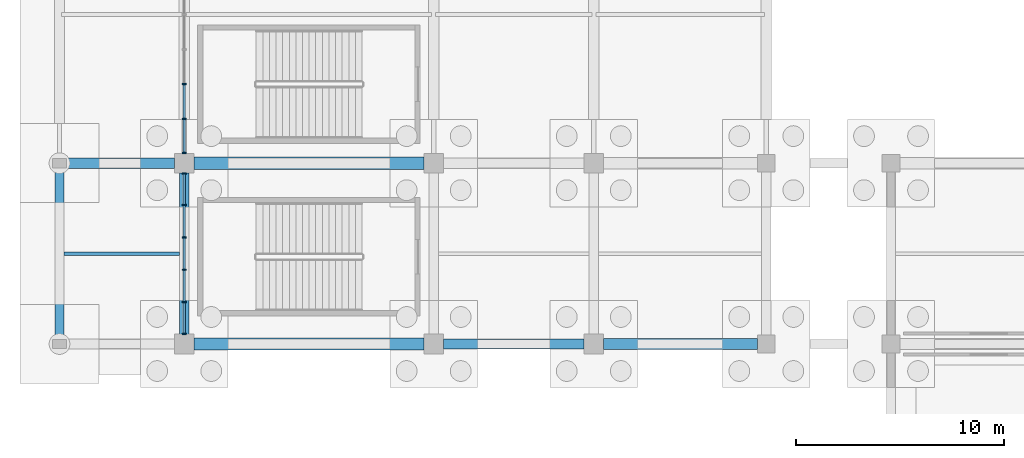
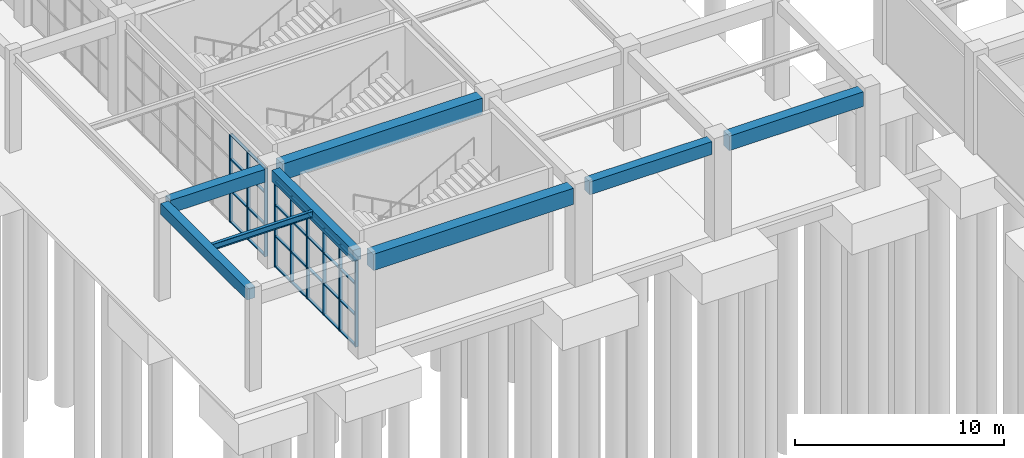
# One storey, part 21 of 121: 37 members, 8 beams, 2 elements without a shape of their own.
"""IFC4 building model written with IfcOpenShell, lengths in metres."""

from ifc_helpers import new_model, si_unit, direction, frame, origin, origin_2d, place, context, subcontext, project, spatial, rectangle, i_section, extrude, material, material_profile, profile_set, type_object, element, aggregate, save


model = new_model("IFC4")

# Units and contexts
model_context = context("Model", 3, precision=1e-05, world=origin(), true_north=direction((0.0, 1.0)))
body_context = subcontext(model_context, "Body", "Model", "MODEL_VIEW")
ifc_project = project(units=[si_unit("LENGTHUNIT", "METRE"), si_unit("AREAUNIT", "SQUARE_METRE"), si_unit("VOLUMEUNIT", "CUBIC_METRE"), si_unit("PLANEANGLEUNIT", "RADIAN"), si_unit("MASSUNIT", "GRAM", prefix="KILO")], contexts=[model_context])

# Site, building, storey
site_placement = place(None, origin())
site = spatial("IfcSite", under=ifc_project, at=site_placement, CompositionType="ELEMENT")
building_placement = place(site_placement, origin())
building = spatial("IfcBuilding", under=site, at=building_placement, Name="Cuetzalor Civic Arena", CompositionType="ELEMENT")
storey_placement = place(building_placement, origin())
storey = spatial("IfcBuildingStorey", under=building, at=storey_placement, Name="L00", CompositionType="ELEMENT", Elevation=0.0)

# Beams
ifc_material_1 = material(Name="Concrete C40/50", Category="concrete")
ifc_material_profile_1 = material_profile(ifc_material_1, rectangle(XDim=0.5, YDim=0.75, at=origin_2d()), Name="RC 500x750")
ifc_profile_set_1 = profile_set([ifc_material_profile_1], Name="Concrete C40/50")
beam_type_1 = type_object("IfcBeamType", Name="ConcreteFrameBeam_500x750", PredefinedType="BEAM", material=ifc_profile_set_1)
beam_1_placement = place(storey_placement, frame((-63.534912109375, -57.0, 5.324951171875), z_axis=(1.0, 0.0, 0.0), x_axis=(0.0, 1.0, 0.0)))
element("IfcBeam", 1, at=beam_1_placement, inside=storey, type_object=beam_type_1, Name="Frame Girder V4W-L00-X0059", PredefinedType="BEAM", context=body_context, shape_type="SweptSolid", body=[
    extrude(rectangle(XDim=0.5, YDim=0.75, at=origin_2d()), origin(), (0.0, 0.0, 1.0), 6.77001953125),
])
beam_2_placement = place(storey_placement, frame((-81.68505859375, -48.300048828125, 5.324951171875), z_axis=(1.0, 0.0, 0.0), x_axis=(0.0, 1.0, 0.0)))
element("IfcBeam", 2, at=beam_2_placement, inside=storey, type_object=beam_type_1, Name="Frame Girder V4W-L00-X0061", PredefinedType="BEAM", context=body_context, shape_type="SweptSolid", body=[
    extrude(rectangle(XDim=0.5, YDim=0.75, at=origin_2d()), origin(), (0.0, 0.0, 1.0), 5.219970703125),
])
ifc_material_2 = material(Name="Concrete C40/50", Category="concrete")
ifc_material_profile_2 = material_profile(ifc_material_2, rectangle(XDim=0.550048828125, YDim=0.85009765625, at=origin_2d()), Name="RC 550x850")
ifc_profile_set_2 = profile_set([ifc_material_profile_2], Name="Concrete C40/50")
beam_type_2 = type_object("IfcBeamType", Name="ConcreteFrameBeam_550x850", PredefinedType="BEAM", material=ifc_profile_set_2)
beam_3_placement = place(storey_placement, frame((-55.8349609375, -57.0, 5.27490234375), z_axis=(1.0, 0.0, 0.0), x_axis=(0.0, 1.0, 0.0)))
element("IfcBeam", 3, at=beam_3_placement, inside=storey, type_object=beam_type_2, Name="Frame Girder V4W-L00-X0060", PredefinedType="BEAM", context=body_context, shape_type="SweptSolid", body=[
    extrude(rectangle(XDim=0.550048828125, YDim=0.85009765625, at=origin_2d()), origin(), (0.0, 0.0, 1.0), 7.419921875),
])
ifc_material_3 = material(Name="Concrete C40/50", Category="concrete")
ifc_material_profile_3 = material_profile(ifc_material_3, rectangle(XDim=0.60009765625, YDim=0.949951171875, at=origin_2d()), Name="RC 600x950")
ifc_profile_set_3 = profile_set([ifc_material_profile_3], Name="Concrete C40/50")
beam_type_3 = type_object("IfcBeamType", Name="ConcreteFrameBeam_600x950", PredefinedType="BEAM", material=ifc_profile_set_3)
for number, where, z_axis, x_axis, name in (
    (4, (-75.534912109375, -57.0, 5.22509765625), (1.0, 0.0, 0.0), (0.0, 1.0, 0.0), "Frame Girder V4W-L00-X0058"),
    (5, (-75.534912109375, -48.300048828125, 5.22509765625), (1.0, 0.0, 0.0), (0.0, 1.0, 0.0), "Frame Girder V4W-L00-X0062"),
):
    element("IfcBeam", number, at=place(storey_placement, frame(where, z_axis=z_axis, x_axis=x_axis)), inside=storey, type_object=beam_type_3, Name=name, PredefinedType="BEAM", context=body_context, shape_type="SweptSolid", body=[
        extrude(rectangle(XDim=0.60009765625, YDim=0.949951171875, at=origin_2d()), origin(), (0.0, 0.0, 1.0), 11.06982421875),
    ])
ifc_material_4 = material(Name="Concrete C40/50", Category="concrete")
ifc_material_profile_4 = material_profile(ifc_material_4, rectangle(XDim=0.449951171875, YDim=0.64990234375, at=origin_2d()), Name="RC 450x650")
ifc_profile_set_4 = profile_set([ifc_material_profile_4], Name="Concrete C40/50")
beam_type_4 = type_object("IfcBeamType", Name="ConcreteTieBeam_450x650", PredefinedType="BEAM", material=ifc_profile_set_4)
beam_4_placement = place(storey_placement, frame((-82.0, -56.784912109375, 5.375), z_axis=(0.0, 1.0, 0.0), x_axis=(-1.0, 0.0, 0.0)))
element("IfcBeam", 6, at=beam_4_placement, inside=storey, type_object=beam_type_4, Name="Frame Girder V4W-L00-Y0093", PredefinedType="BEAM", context=body_context, shape_type="SweptSolid", body=[
    extrude(rectangle(XDim=0.449951171875, YDim=0.64990234375, at=origin_2d()), origin(), (0.0, 0.0, 1.0), 8.27001953125),
])
beam_5_placement = place(storey_placement, frame((-76.0, -56.534912109375, 5.375), z_axis=(0.0, 1.0, 0.0), x_axis=(-1.0, 0.0, 0.0)))
element("IfcBeam", 7, at=beam_5_placement, inside=storey, type_object=beam_type_4, Name="Frame Girder V4W-L00-Y0103", PredefinedType="BEAM", context=body_context, shape_type="SweptSolid", body=[
    extrude(rectangle(XDim=0.449951171875, YDim=0.64990234375, at=origin_2d()), origin(), (0.0, 0.0, 1.0), 7.77001953125),
])

# Curtain wall, members
ifc_material_5 = material(Name="Anodised dark bronze aluminium and low-E solar glass", Category="aluminium")
curtain_wall_type_1 = type_object("IfcCurtainWallType", Name="UnitisedCW_7800x5050", PredefinedType="USERDEFINED", material=ifc_material_5)
curtain_wall_1_placement = place(storey_placement, origin())
curtain_wall_1 = element("IfcCurtainWall", 8, at=curtain_wall_1_placement, inside=storey, type_object=curtain_wall_type_1, Name="V4W Colonnade Curtain Wall L00-103", ObjectType="UNITISED CURTAIN WALL", PredefinedType="USERDEFINED")
ifc_material_6 = material(Name="Anodised dark bronze aluminium", Category="aluminium")
ifc_material_profile_5 = material_profile(ifc_material_6, rectangle(XDim=0.070068359375, YDim=0.179931640625, at=origin_2d()), Name="ALU MULLION 70x180")
ifc_profile_set_5 = profile_set([ifc_material_profile_5], Name="Anodised dark bronze aluminium")
member_type_1 = type_object("IfcMemberType", Name="CurtainWallMullion_65x180", PredefinedType="MULLION", material=ifc_profile_set_5)
member_1_placement = place(storey_placement, frame((-76.0, -56.508056640625, 0.0), z_axis=(0.0, 0.0, 1.0), x_axis=(0.0, 1.0, 0.0)))
member_1 = element("IfcMember", 9, at=member_1_placement, type_object=member_type_1, Name="CW-31 mullion 1", PredefinedType="MULLION", context=body_context, shape_type="SweptSolid", body=[
    extrude(rectangle(XDim=0.070068359375, YDim=0.179931640625, at=origin_2d()), origin(), (0.0, 0.0, 1.0), 5.0400390625),
])
member_2_placement = place(storey_placement, frame((-76.0, -54.98583984375, 0.0), z_axis=(0.0, 0.0, 1.0), x_axis=(0.0, 1.0, 0.0)))
member_2 = element("IfcMember", 10, at=member_2_placement, type_object=member_type_1, Name="CW-31 mullion 2", PredefinedType="MULLION", context=body_context, shape_type="SweptSolid", body=[
    extrude(rectangle(XDim=0.070068359375, YDim=0.179931640625, at=origin_2d()), origin(), (0.0, 0.0, 1.0), 5.0400390625),
])
member_3_placement = place(storey_placement, frame((-76.0, -53.4287109375, 0.0), z_axis=(0.0, 0.0, 1.0), x_axis=(0.0, 1.0, 0.0)))
member_3 = element("IfcMember", 11, at=member_3_placement, type_object=member_type_1, Name="CW-31 mullion 3", PredefinedType="MULLION", context=body_context, shape_type="SweptSolid", body=[
    extrude(rectangle(XDim=0.070068359375, YDim=0.179931640625, at=origin_2d()), origin(), (0.0, 0.0, 1.0), 5.0400390625),
])
member_4_placement = place(storey_placement, frame((-76.0, -51.871337890625, 0.0), z_axis=(0.0, 0.0, 1.0), x_axis=(0.0, 1.0, 0.0)))
member_4 = element("IfcMember", 12, at=member_4_placement, type_object=member_type_1, Name="CW-31 mullion 4", PredefinedType="MULLION", context=body_context, shape_type="SweptSolid", body=[
    extrude(rectangle(XDim=0.070068359375, YDim=0.179931640625, at=origin_2d()), origin(), (0.0, 0.0, 1.0), 5.0400390625),
])
member_5_placement = place(storey_placement, frame((-76.0, -50.314208984375, 0.0), z_axis=(0.0, 0.0, 1.0), x_axis=(0.0, 1.0, 0.0)))
member_5 = element("IfcMember", 13, at=member_5_placement, type_object=member_type_1, Name="CW-31 mullion 5", PredefinedType="MULLION", context=body_context, shape_type="SweptSolid", body=[
    extrude(rectangle(XDim=0.070068359375, YDim=0.179931640625, at=origin_2d()), origin(), (0.0, 0.0, 1.0), 5.0400390625),
])
member_6_placement = place(storey_placement, frame((-76.0, -48.7919921875, 0.0), z_axis=(0.0, 0.0, 1.0), x_axis=(0.0, 1.0, 0.0)))
member_6 = element("IfcMember", 14, at=member_6_placement, type_object=member_type_1, Name="CW-31 mullion 6", PredefinedType="MULLION", context=body_context, shape_type="SweptSolid", body=[
    extrude(rectangle(XDim=0.070068359375, YDim=0.179931640625, at=origin_2d()), origin(), (0.0, 0.0, 1.0), 5.0400390625),
])

ifc_material_7 = material(Name="Anodised dark bronze aluminium and low-E solar glass", Category="aluminium")
curtain_wall_type_2 = type_object("IfcCurtainWallType", Name="UnitisedCW_13400x5150", PredefinedType="USERDEFINED", material=ifc_material_7)
curtain_wall_2_placement = place(storey_placement, origin())
curtain_wall_2 = element("IfcCurtainWall", 15, at=curtain_wall_2_placement, inside=storey, type_object=curtain_wall_type_2, Name="V4W Colonnade Curtain Wall L00-104", ObjectType="UNITISED CURTAIN WALL", PredefinedType="USERDEFINED")
member_7_placement = place(storey_placement, frame((-76.0, -47.80810546875, 0.0), z_axis=(0.0, 0.0, 1.0), x_axis=(0.0, 1.0, 0.0)))
member_7 = element("IfcMember", 16, at=member_7_placement, type_object=member_type_1, Name="CW-32 mullion 1", PredefinedType="MULLION", context=body_context, shape_type="SweptSolid", body=[
    extrude(rectangle(XDim=0.070068359375, YDim=0.179931640625, at=origin_2d()), origin(), (0.0, 0.0, 1.0), 5.156982421875),
])
member_8_placement = place(storey_placement, frame((-76.0, -46.169677734375, 0.0), z_axis=(0.0, 0.0, 1.0), x_axis=(0.0, 1.0, 0.0)))
member_8 = element("IfcMember", 17, at=member_8_placement, type_object=member_type_1, Name="CW-32 mullion 2", PredefinedType="MULLION", context=body_context, shape_type="SweptSolid", body=[
    extrude(rectangle(XDim=0.070068359375, YDim=0.179931640625, at=origin_2d()), origin(), (0.0, 0.0, 1.0), 5.156982421875),
])
member_9_placement = place(storey_placement, frame((-76.0, -44.49658203125, 0.0), z_axis=(0.0, 0.0, 1.0), x_axis=(0.0, 1.0, 0.0)))
member_9 = element("IfcMember", 18, at=member_9_placement, type_object=member_type_1, Name="CW-32 mullion 3", PredefinedType="MULLION", context=body_context, shape_type="SweptSolid", body=[
    extrude(rectangle(XDim=0.070068359375, YDim=0.179931640625, at=origin_2d()), origin(), (0.0, 0.0, 1.0), 5.156982421875),
])

# Member
ifc_material_8 = material(Name="Anodised dark bronze aluminium", Category="aluminium")
ifc_material_profile_6 = material_profile(ifc_material_8, rectangle(XDim=0.139892578125, YDim=0.070068359375, at=origin_2d()), Name="ALU TRANSOM 70x140")
ifc_profile_set_6 = profile_set([ifc_material_profile_6], Name="Anodised dark bronze aluminium")
member_type_2 = type_object("IfcMemberType", Name="CurtainWallTransom_65x140", PredefinedType="USERDEFINED", material=ifc_profile_set_6)
member_10_placement = place(storey_placement, frame((-76.0, -56.472900390625, 0.034912109375), z_axis=(0.0, 1.0, 0.0), x_axis=(-1.0, 0.0, 0.0)))
member_10 = element("IfcMember", 19, at=member_10_placement, type_object=member_type_2, Name="CW-31 transom 1.1", ObjectType="TRANSOM", PredefinedType="USERDEFINED", context=body_context, shape_type="SweptSolid", body=[
    extrude(rectangle(XDim=0.139892578125, YDim=0.070068359375, at=origin_2d()), origin(), (0.0, 0.0, 1.0), 1.4521484375),
])

member_11_placement = place(storey_placement, frame((-76.0, -56.472900390625, 1.81396484375), z_axis=(0.0, 1.0, 0.0), x_axis=(-1.0, 0.0, 0.0)))
member_11 = element("IfcMember", 20, at=member_11_placement, type_object=member_type_2, Name="CW-31 transom 1.2", ObjectType="TRANSOM", PredefinedType="USERDEFINED", context=body_context, shape_type="SweptSolid", body=[
    extrude(rectangle(XDim=0.139892578125, YDim=0.070068359375, at=origin_2d()), origin(), (0.0, 0.0, 1.0), 1.4521484375),
])

member_12_placement = place(storey_placement, frame((-76.0, -56.472900390625, 3.62890625), z_axis=(0.0, 1.0, 0.0), x_axis=(-1.0, 0.0, 0.0)))
member_12 = element("IfcMember", 21, at=member_12_placement, type_object=member_type_2, Name="CW-31 transom 1.3", ObjectType="TRANSOM", PredefinedType="USERDEFINED", context=body_context, shape_type="SweptSolid", body=[
    extrude(rectangle(XDim=0.139892578125, YDim=0.070068359375, at=origin_2d()), origin(), (0.0, 0.0, 1.0), 1.4521484375),
])

member_13_placement = place(storey_placement, frame((-76.0, -56.472900390625, 5.0048828125), z_axis=(0.0, 1.0, 0.0), x_axis=(-1.0, 0.0, 0.0)))
member_13 = element("IfcMember", 22, at=member_13_placement, type_object=member_type_2, Name="CW-31 transom 1.4", ObjectType="TRANSOM", PredefinedType="USERDEFINED", context=body_context, shape_type="SweptSolid", body=[
    extrude(rectangle(XDim=0.139892578125, YDim=0.070068359375, at=origin_2d()), origin(), (0.0, 0.0, 1.0), 1.4521484375),
])

member_14_placement = place(storey_placement, frame((-76.0, -54.95068359375, 0.034912109375), z_axis=(0.0, 1.0, 0.0), x_axis=(-1.0, 0.0, 0.0)))
member_14 = element("IfcMember", 23, at=member_14_placement, type_object=member_type_2, Name="CW-31 transom 2.1", ObjectType="TRANSOM", PredefinedType="USERDEFINED", context=body_context, shape_type="SweptSolid", body=[
    extrude(rectangle(XDim=0.139892578125, YDim=0.070068359375, at=origin_2d()), origin(), (0.0, 0.0, 1.0), 1.487060546875),
])

member_15_placement = place(storey_placement, frame((-76.0, -54.95068359375, 1.81396484375), z_axis=(0.0, 1.0, 0.0), x_axis=(-1.0, 0.0, 0.0)))
member_15 = element("IfcMember", 24, at=member_15_placement, type_object=member_type_2, Name="CW-31 transom 2.2", ObjectType="TRANSOM", PredefinedType="USERDEFINED", context=body_context, shape_type="SweptSolid", body=[
    extrude(rectangle(XDim=0.139892578125, YDim=0.070068359375, at=origin_2d()), origin(), (0.0, 0.0, 1.0), 1.487060546875),
])

member_16_placement = place(storey_placement, frame((-76.0, -54.95068359375, 3.62890625), z_axis=(0.0, 1.0, 0.0), x_axis=(-1.0, 0.0, 0.0)))
member_16 = element("IfcMember", 25, at=member_16_placement, type_object=member_type_2, Name="CW-31 transom 2.3", ObjectType="TRANSOM", PredefinedType="USERDEFINED", context=body_context, shape_type="SweptSolid", body=[
    extrude(rectangle(XDim=0.139892578125, YDim=0.070068359375, at=origin_2d()), origin(), (0.0, 0.0, 1.0), 1.487060546875),
])

member_17_placement = place(storey_placement, frame((-76.0, -54.95068359375, 5.0048828125), z_axis=(0.0, 1.0, 0.0), x_axis=(-1.0, 0.0, 0.0)))
member_17 = element("IfcMember", 26, at=member_17_placement, type_object=member_type_2, Name="CW-31 transom 2.4", ObjectType="TRANSOM", PredefinedType="USERDEFINED", context=body_context, shape_type="SweptSolid", body=[
    extrude(rectangle(XDim=0.139892578125, YDim=0.070068359375, at=origin_2d()), origin(), (0.0, 0.0, 1.0), 1.487060546875),
])

member_18_placement = place(storey_placement, frame((-76.0, -53.3935546875, 0.034912109375), z_axis=(0.0, 1.0, 0.0), x_axis=(-1.0, 0.0, 0.0)))
member_18 = element("IfcMember", 27, at=member_18_placement, type_object=member_type_2, Name="CW-31 transom 3.1", ObjectType="TRANSOM", PredefinedType="USERDEFINED", context=body_context, shape_type="SweptSolid", body=[
    extrude(rectangle(XDim=0.139892578125, YDim=0.070068359375, at=origin_2d()), origin(), (0.0, 0.0, 1.0), 1.487060546875),
])

member_19_placement = place(storey_placement, frame((-76.0, -53.3935546875, 1.81396484375), z_axis=(0.0, 1.0, 0.0), x_axis=(-1.0, 0.0, 0.0)))
member_19 = element("IfcMember", 28, at=member_19_placement, type_object=member_type_2, Name="CW-31 transom 3.2", ObjectType="TRANSOM", PredefinedType="USERDEFINED", context=body_context, shape_type="SweptSolid", body=[
    extrude(rectangle(XDim=0.139892578125, YDim=0.070068359375, at=origin_2d()), origin(), (0.0, 0.0, 1.0), 1.487060546875),
])

member_20_placement = place(storey_placement, frame((-76.0, -53.3935546875, 3.62890625), z_axis=(0.0, 1.0, 0.0), x_axis=(-1.0, 0.0, 0.0)))
member_20 = element("IfcMember", 29, at=member_20_placement, type_object=member_type_2, Name="CW-31 transom 3.3", ObjectType="TRANSOM", PredefinedType="USERDEFINED", context=body_context, shape_type="SweptSolid", body=[
    extrude(rectangle(XDim=0.139892578125, YDim=0.070068359375, at=origin_2d()), origin(), (0.0, 0.0, 1.0), 1.487060546875),
])

member_21_placement = place(storey_placement, frame((-76.0, -53.3935546875, 5.0048828125), z_axis=(0.0, 1.0, 0.0), x_axis=(-1.0, 0.0, 0.0)))
member_21 = element("IfcMember", 30, at=member_21_placement, type_object=member_type_2, Name="CW-31 transom 3.4", ObjectType="TRANSOM", PredefinedType="USERDEFINED", context=body_context, shape_type="SweptSolid", body=[
    extrude(rectangle(XDim=0.139892578125, YDim=0.070068359375, at=origin_2d()), origin(), (0.0, 0.0, 1.0), 1.487060546875),
])

member_22_placement = place(storey_placement, frame((-76.0, -51.83642578125, 0.034912109375), z_axis=(0.0, 1.0, 0.0), x_axis=(-1.0, 0.0, 0.0)))
member_22 = element("IfcMember", 31, at=member_22_placement, type_object=member_type_2, Name="CW-31 transom 4.1", ObjectType="TRANSOM", PredefinedType="USERDEFINED", context=body_context, shape_type="SweptSolid", body=[
    extrude(rectangle(XDim=0.139892578125, YDim=0.070068359375, at=origin_2d()), origin(), (0.0, 0.0, 1.0), 1.4873046875),
])

member_23_placement = place(storey_placement, frame((-76.0, -51.83642578125, 1.81396484375), z_axis=(0.0, 1.0, 0.0), x_axis=(-1.0, 0.0, 0.0)))
member_23 = element("IfcMember", 32, at=member_23_placement, type_object=member_type_2, Name="CW-31 transom 4.2", ObjectType="TRANSOM", PredefinedType="USERDEFINED", context=body_context, shape_type="SweptSolid", body=[
    extrude(rectangle(XDim=0.139892578125, YDim=0.070068359375, at=origin_2d()), origin(), (0.0, 0.0, 1.0), 1.4873046875),
])

member_24_placement = place(storey_placement, frame((-76.0, -51.83642578125, 3.62890625), z_axis=(0.0, 1.0, 0.0), x_axis=(-1.0, 0.0, 0.0)))
member_24 = element("IfcMember", 33, at=member_24_placement, type_object=member_type_2, Name="CW-31 transom 4.3", ObjectType="TRANSOM", PredefinedType="USERDEFINED", context=body_context, shape_type="SweptSolid", body=[
    extrude(rectangle(XDim=0.139892578125, YDim=0.070068359375, at=origin_2d()), origin(), (0.0, 0.0, 1.0), 1.4873046875),
])

member_25_placement = place(storey_placement, frame((-76.0, -51.83642578125, 5.0048828125), z_axis=(0.0, 1.0, 0.0), x_axis=(-1.0, 0.0, 0.0)))
member_25 = element("IfcMember", 34, at=member_25_placement, type_object=member_type_2, Name="CW-31 transom 4.4", ObjectType="TRANSOM", PredefinedType="USERDEFINED", context=body_context, shape_type="SweptSolid", body=[
    extrude(rectangle(XDim=0.139892578125, YDim=0.070068359375, at=origin_2d()), origin(), (0.0, 0.0, 1.0), 1.4873046875),
])

member_26_placement = place(storey_placement, frame((-76.0, -50.279296875, 0.034912109375), z_axis=(0.0, 1.0, 0.0), x_axis=(-1.0, 0.0, 0.0)))
member_26 = element("IfcMember", 35, at=member_26_placement, type_object=member_type_2, Name="CW-31 transom 5.1", ObjectType="TRANSOM", PredefinedType="USERDEFINED", context=body_context, shape_type="SweptSolid", body=[
    extrude(rectangle(XDim=0.139892578125, YDim=0.070068359375, at=origin_2d()), origin(), (0.0, 0.0, 1.0), 1.452392578125),
])

member_27_placement = place(storey_placement, frame((-76.0, -50.279296875, 1.81396484375), z_axis=(0.0, 1.0, 0.0), x_axis=(-1.0, 0.0, 0.0)))
member_27 = element("IfcMember", 36, at=member_27_placement, type_object=member_type_2, Name="CW-31 transom 5.2", ObjectType="TRANSOM", PredefinedType="USERDEFINED", context=body_context, shape_type="SweptSolid", body=[
    extrude(rectangle(XDim=0.139892578125, YDim=0.070068359375, at=origin_2d()), origin(), (0.0, 0.0, 1.0), 1.452392578125),
])

member_28_placement = place(storey_placement, frame((-76.0, -50.279296875, 3.62890625), z_axis=(0.0, 1.0, 0.0), x_axis=(-1.0, 0.0, 0.0)))
member_28 = element("IfcMember", 37, at=member_28_placement, type_object=member_type_2, Name="CW-31 transom 5.3", ObjectType="TRANSOM", PredefinedType="USERDEFINED", context=body_context, shape_type="SweptSolid", body=[
    extrude(rectangle(XDim=0.139892578125, YDim=0.070068359375, at=origin_2d()), origin(), (0.0, 0.0, 1.0), 1.452392578125),
])

member_29_placement = place(storey_placement, frame((-76.0, -50.279296875, 5.0048828125), z_axis=(0.0, 1.0, 0.0), x_axis=(-1.0, 0.0, 0.0)))
member_29 = element("IfcMember", 38, at=member_29_placement, type_object=member_type_2, Name="CW-31 transom 5.4", ObjectType="TRANSOM", PredefinedType="USERDEFINED", context=body_context, shape_type="SweptSolid", body=[
    extrude(rectangle(XDim=0.139892578125, YDim=0.070068359375, at=origin_2d()), origin(), (0.0, 0.0, 1.0), 1.452392578125),
])

aggregate(curtain_wall_1, [member_1, member_2, member_3, member_4, member_5, member_6, member_10, member_11, member_12, member_13, member_14, member_15, member_16, member_17, member_18, member_19, member_20, member_21, member_22, member_23, member_24, member_25, member_26, member_27, member_28, member_29])

member_30_placement = place(storey_placement, frame((-76.0, -47.77294921875, 0.034912109375), z_axis=(0.0, 1.0, 0.0), x_axis=(-1.0, 0.0, 0.0)))
member_30 = element("IfcMember", 39, at=member_30_placement, type_object=member_type_2, Name="CW-32 transom 1.1", ObjectType="TRANSOM", PredefinedType="USERDEFINED", context=body_context, shape_type="SweptSolid", body=[
    extrude(rectangle(XDim=0.139892578125, YDim=0.070068359375, at=origin_2d()), origin(), (0.0, 0.0, 1.0), 1.568115234375),
])

member_31_placement = place(storey_placement, frame((-76.0, -47.77294921875, 1.85693359375), z_axis=(0.0, 1.0, 0.0), x_axis=(-1.0, 0.0, 0.0)))
member_31 = element("IfcMember", 40, at=member_31_placement, type_object=member_type_2, Name="CW-32 transom 1.2", ObjectType="TRANSOM", PredefinedType="USERDEFINED", context=body_context, shape_type="SweptSolid", body=[
    extrude(rectangle(XDim=0.139892578125, YDim=0.070068359375, at=origin_2d()), origin(), (0.0, 0.0, 1.0), 1.568115234375),
])

member_32_placement = place(storey_placement, frame((-76.0, -47.77294921875, 3.712890625), z_axis=(0.0, 1.0, 0.0), x_axis=(-1.0, 0.0, 0.0)))
member_32 = element("IfcMember", 41, at=member_32_placement, type_object=member_type_2, Name="CW-32 transom 1.3", ObjectType="TRANSOM", PredefinedType="USERDEFINED", context=body_context, shape_type="SweptSolid", body=[
    extrude(rectangle(XDim=0.139892578125, YDim=0.070068359375, at=origin_2d()), origin(), (0.0, 0.0, 1.0), 1.568115234375),
])

member_33_placement = place(storey_placement, frame((-76.0, -47.77294921875, 5.1220703125), z_axis=(0.0, 1.0, 0.0), x_axis=(-1.0, 0.0, 0.0)))
member_33 = element("IfcMember", 42, at=member_33_placement, type_object=member_type_2, Name="CW-32 transom 1.4", ObjectType="TRANSOM", PredefinedType="USERDEFINED", context=body_context, shape_type="SweptSolid", body=[
    extrude(rectangle(XDim=0.139892578125, YDim=0.070068359375, at=origin_2d()), origin(), (0.0, 0.0, 1.0), 1.568115234375),
])

member_34_placement = place(storey_placement, frame((-76.0, -46.134765625, 0.034912109375), z_axis=(0.0, 1.0, 0.0), x_axis=(-1.0, 0.0, 0.0)))
member_34 = element("IfcMember", 43, at=member_34_placement, type_object=member_type_2, Name="CW-32 transom 2.1", ObjectType="TRANSOM", PredefinedType="USERDEFINED", context=body_context, shape_type="SweptSolid", body=[
    extrude(rectangle(XDim=0.139892578125, YDim=0.070068359375, at=origin_2d()), origin(), (0.0, 0.0, 1.0), 1.603271484375),
])

member_35_placement = place(storey_placement, frame((-76.0, -46.134765625, 1.85693359375), z_axis=(0.0, 1.0, 0.0), x_axis=(-1.0, 0.0, 0.0)))
member_35 = element("IfcMember", 44, at=member_35_placement, type_object=member_type_2, Name="CW-32 transom 2.2", ObjectType="TRANSOM", PredefinedType="USERDEFINED", context=body_context, shape_type="SweptSolid", body=[
    extrude(rectangle(XDim=0.139892578125, YDim=0.070068359375, at=origin_2d()), origin(), (0.0, 0.0, 1.0), 1.603271484375),
])

member_36_placement = place(storey_placement, frame((-76.0, -46.134765625, 3.712890625), z_axis=(0.0, 1.0, 0.0), x_axis=(-1.0, 0.0, 0.0)))
member_36 = element("IfcMember", 45, at=member_36_placement, type_object=member_type_2, Name="CW-32 transom 2.3", ObjectType="TRANSOM", PredefinedType="USERDEFINED", context=body_context, shape_type="SweptSolid", body=[
    extrude(rectangle(XDim=0.139892578125, YDim=0.070068359375, at=origin_2d()), origin(), (0.0, 0.0, 1.0), 1.603271484375),
])

member_37_placement = place(storey_placement, frame((-76.0, -46.134765625, 5.1220703125), z_axis=(0.0, 1.0, 0.0), x_axis=(-1.0, 0.0, 0.0)))
member_37 = element("IfcMember", 46, at=member_37_placement, type_object=member_type_2, Name="CW-32 transom 2.4", ObjectType="TRANSOM", PredefinedType="USERDEFINED", context=body_context, shape_type="SweptSolid", body=[
    extrude(rectangle(XDim=0.139892578125, YDim=0.070068359375, at=origin_2d()), origin(), (0.0, 0.0, 1.0), 1.603271484375),
])

aggregate(curtain_wall_2, [member_7, member_8, member_9, member_30, member_31, member_32, member_33, member_34, member_35, member_36, member_37])

# Beam
ifc_material_9 = material(Name="Steel S355", Category="steel")
ifc_material_profile_7 = material_profile(ifc_material_9, i_section(OverallWidth=0.1708984375, OverallDepth=0.35498046875, WebThickness=0.007080078125, FlangeThickness=0.01171875, at=origin_2d()), Name="W360x51")
ifc_profile_set_7 = profile_set([ifc_material_profile_7], Name="Steel S355")
beam_type_5 = type_object("IfcBeamType", Name="SecondaryFloorJoist_W360", PredefinedType="JOIST", material=ifc_profile_set_7)
beam_6_placement = place(storey_placement, frame((-81.782958984375, -52.64990234375, 5.5224609375), z_axis=(1.0, 0.0, 0.0), x_axis=(0.0, 1.0, 0.0)))
element("IfcBeam", 47, at=beam_6_placement, inside=storey, type_object=beam_type_5, Name="Secondary Floor Joist V4W-L00-0015", PredefinedType="JOIST", context=body_context, shape_type="SweptSolid", body=[
    extrude(i_section(OverallWidth=0.1708984375, OverallDepth=0.35498046875, WebThickness=0.007080078125, FlangeThickness=0.01171875, at=origin_2d()), origin(), (0.0, 0.0, 1.0), 5.56591796875),
])

save(model, "model.ifc")
